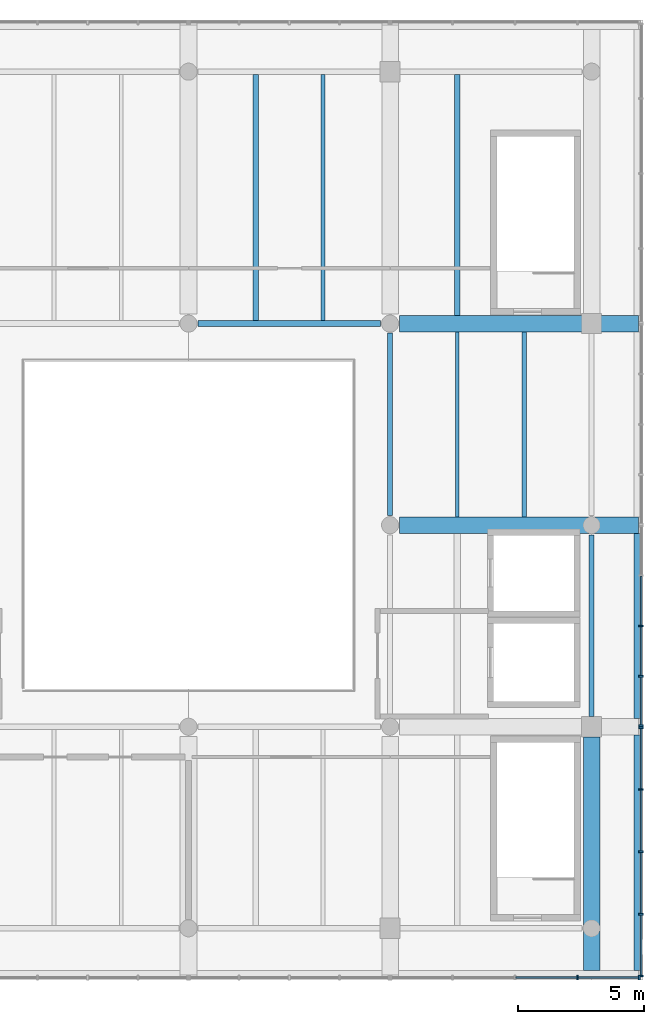
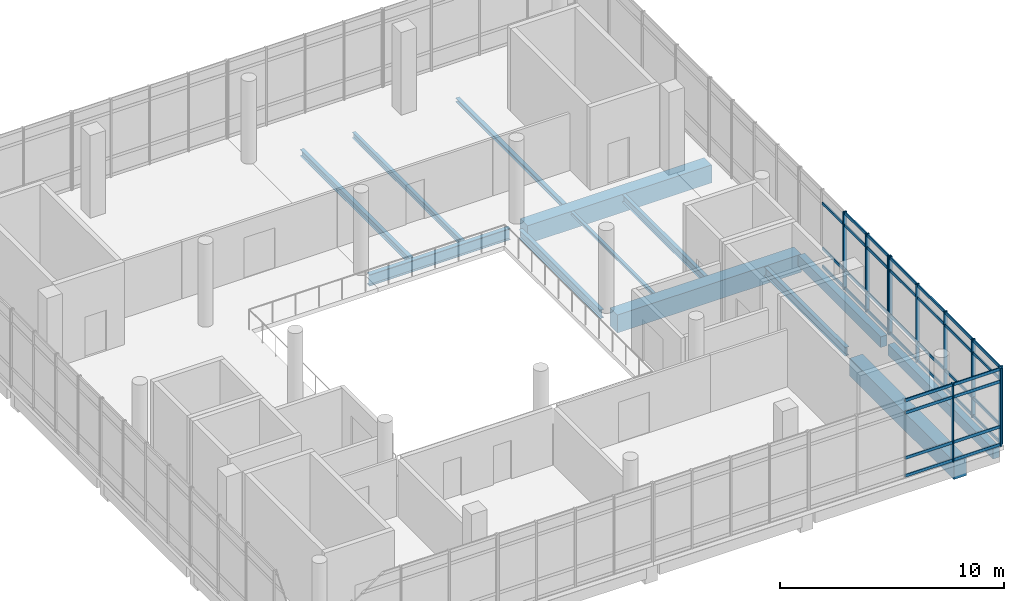
# One storey, part 6 of 15: 45 members, 13 beams, 3 elements without a shape of their own.
"""IFC4 building model written with IfcOpenShell, lengths in metres."""

from ifc_helpers import new_model, si_unit, direction, frame, origin, origin_2d, place, context, subcontext, project, spatial, rectangle, i_section, extrude, material, material_profile, profile_set, type_object, element, aggregate, save


model = new_model("IFC4")

# Units and contexts
model_context = context("Model", 3, precision=1e-05, world=origin(), true_north=direction((0.0, 1.0)))
body_context = subcontext(model_context, "Body", "Model", "MODEL_VIEW")
ifc_project = project(units=[si_unit("LENGTHUNIT", "METRE"), si_unit("AREAUNIT", "SQUARE_METRE"), si_unit("VOLUMEUNIT", "CUBIC_METRE"), si_unit("PLANEANGLEUNIT", "RADIAN"), si_unit("MASSUNIT", "GRAM", prefix="KILO")], contexts=[model_context])

# Site, building, storey
site_placement = place(None, origin())
site = spatial("IfcSite", under=ifc_project, at=site_placement, CompositionType="ELEMENT")
building_placement = place(site_placement, origin())
building = spatial("IfcBuilding", under=site, at=building_placement, Name="Pecanmere Concourse Central Library", CompositionType="ELEMENT")
storey_placement = place(building_placement, frame((0.0, 0.0, 30.300048828125)))
storey = spatial("IfcBuildingStorey", under=building, at=storey_placement, Name="L07", CompositionType="ELEMENT", Elevation=30.300048828125)

# Curtain wall, members
ifc_material_1 = material(Name="Anodized bronze aluminium alloy 6063-T6", Category="aluminium")
curtain_wall_type = type_object("IfcCurtainWallType", Name="CW_PLUMB_BANDED", PredefinedType="USERDEFINED", material=ifc_material_1)
curtain_wall_1_placement = place(storey_placement, origin())
curtain_wall_1 = element("IfcCurtainWall", 1, at=curtain_wall_1_placement, inside=storey, type_object=curtain_wall_type, Name="Unitised Curtain Wall CW-02 L07-092", ObjectType="UNITISED CURTAIN WALL", PredefinedType="USERDEFINED")
ifc_material_2 = material(Name="Anodized bronze aluminium alloy 6063-T6", Category="aluminium")
ifc_material_profile_1 = material_profile(ifc_material_2, rectangle(XDim=0.06494140625, YDim=0.179931640625, at=origin_2d()), Name="AL 65x180")
ifc_profile_set_1 = profile_set([ifc_material_profile_1], Name="Anodized bronze aluminium alloy 6063-T6")
member_type_1 = type_object("IfcMemberType", Name="CWM_180x65", PredefinedType="MULLION", material=ifc_profile_set_1)
member_1_placement = place(storey_placement, frame((103.4423828125, 88.03857421875, 0.0), z_axis=(0.0, 0.0, 1.0), x_axis=(1.0, 0.0, 0.0)))
member_1 = element("IfcMember", 2, at=member_1_placement, type_object=member_type_1, Name="CW-02 Mullion 4", PredefinedType="MULLION", context=body_context, shape_type="SweptSolid", body=[
    extrude(rectangle(XDim=0.06494140625, YDim=0.179931640625, at=origin_2d()), origin(), (0.0, 0.0, 1.0), 4.260009765625),
])
member_2_placement = place(storey_placement, frame((105.888916015625, 88.03857421875, 0.0), z_axis=(0.0, 0.0, 1.0), x_axis=(1.0, 0.0, 0.0)))
member_2 = element("IfcMember", 3, at=member_2_placement, type_object=member_type_1, Name="CW-02 Mullion 5", PredefinedType="MULLION", context=body_context, shape_type="SweptSolid", body=[
    extrude(rectangle(XDim=0.06494140625, YDim=0.179931640625, at=origin_2d()), origin(), (0.0, 0.0, 1.0), 4.260009765625),
])

curtain_wall_2_placement = place(storey_placement, origin())
curtain_wall_2 = element("IfcCurtainWall", 4, at=curtain_wall_2_placement, inside=storey, type_object=curtain_wall_type, Name="Unitised Curtain Wall CW-02 L07-093", ObjectType="UNITISED CURTAIN WALL", PredefinedType="USERDEFINED")
member_3_placement = place(storey_placement, frame((105.96142578125, 88.111083984375, 0.0), z_axis=(0.0, 0.0, 1.0), x_axis=(0.0, 1.0, 0.0)))
member_3 = element("IfcMember", 5, at=member_3_placement, type_object=member_type_1, Name="CW-02 Mullion 1", PredefinedType="MULLION", context=body_context, shape_type="SweptSolid", body=[
    extrude(rectangle(XDim=0.06494140625, YDim=0.179931640625, at=origin_2d()), origin(), (0.0, 0.0, 1.0), 4.260009765625),
])
member_4_placement = place(storey_placement, frame((105.96142578125, 90.5576171875, 0.0), z_axis=(0.0, 0.0, 1.0), x_axis=(0.0, 1.0, 0.0)))
member_4 = element("IfcMember", 6, at=member_4_placement, type_object=member_type_1, Name="CW-02 Mullion 2", PredefinedType="MULLION", context=body_context, shape_type="SweptSolid", body=[
    extrude(rectangle(XDim=0.06494140625, YDim=0.179931640625, at=origin_2d()), origin(), (0.0, 0.0, 1.0), 4.260009765625),
])
member_5_placement = place(storey_placement, frame((105.96142578125, 93.036865234375, 0.0), z_axis=(0.0, 0.0, 1.0), x_axis=(0.0, 1.0, 0.0)))
member_5 = element("IfcMember", 7, at=member_5_placement, type_object=member_type_1, Name="CW-02 Mullion 3", PredefinedType="MULLION", context=body_context, shape_type="SweptSolid", body=[
    extrude(rectangle(XDim=0.06494140625, YDim=0.179931640625, at=origin_2d()), origin(), (0.0, 0.0, 1.0), 4.260009765625),
])
member_6_placement = place(storey_placement, frame((105.96142578125, 95.515869140625, 0.0), z_axis=(0.0, 0.0, 1.0), x_axis=(0.0, 1.0, 0.0)))
member_6 = element("IfcMember", 8, at=member_6_placement, type_object=member_type_1, Name="CW-02 Mullion 4", PredefinedType="MULLION", context=body_context, shape_type="SweptSolid", body=[
    extrude(rectangle(XDim=0.06494140625, YDim=0.179931640625, at=origin_2d()), origin(), (0.0, 0.0, 1.0), 4.260009765625),
])
member_7_placement = place(storey_placement, frame((105.96142578125, 97.96240234375, 0.0), z_axis=(0.0, 0.0, 1.0), x_axis=(0.0, 1.0, 0.0)))
member_7 = element("IfcMember", 9, at=member_7_placement, type_object=member_type_1, Name="CW-02 Mullion 5", PredefinedType="MULLION", context=body_context, shape_type="SweptSolid", body=[
    extrude(rectangle(XDim=0.06494140625, YDim=0.179931640625, at=origin_2d()), origin(), (0.0, 0.0, 1.0), 4.260009765625),
])

curtain_wall_3_placement = place(storey_placement, origin())
curtain_wall_3 = element("IfcCurtainWall", 10, at=curtain_wall_3_placement, inside=storey, type_object=curtain_wall_type, Name="Unitised Curtain Wall CW-02 L07-094", ObjectType="UNITISED CURTAIN WALL", PredefinedType="USERDEFINED")
member_8_placement = place(storey_placement, frame((105.96142578125, 98.03759765625, 0.0), z_axis=(0.0, 0.0, 1.0), x_axis=(0.0, 1.0, 0.0)))
member_8 = element("IfcMember", 11, at=member_8_placement, type_object=member_type_1, Name="CW-02 Mullion 1", PredefinedType="MULLION", context=body_context, shape_type="SweptSolid", body=[
    extrude(rectangle(XDim=0.06494140625, YDim=0.179931640625, at=origin_2d()), origin(), (0.0, 0.0, 1.0), 4.260009765625),
])
member_9_placement = place(storey_placement, frame((105.96142578125, 100.00244140625, 0.0), z_axis=(0.0, 0.0, 1.0), x_axis=(0.0, 1.0, 0.0)))
member_9 = element("IfcMember", 12, at=member_9_placement, type_object=member_type_1, Name="CW-02 Mullion 2", PredefinedType="MULLION", context=body_context, shape_type="SweptSolid", body=[
    extrude(rectangle(XDim=0.06494140625, YDim=0.179931640625, at=origin_2d()), origin(), (0.0, 0.0, 1.0), 4.260009765625),
])
member_10_placement = place(storey_placement, frame((105.96142578125, 102.0, 0.0), z_axis=(0.0, 0.0, 1.0), x_axis=(0.0, 1.0, 0.0)))
member_10 = element("IfcMember", 13, at=member_10_placement, type_object=member_type_1, Name="CW-02 Mullion 3", PredefinedType="MULLION", context=body_context, shape_type="SweptSolid", body=[
    extrude(rectangle(XDim=0.06494140625, YDim=0.179931640625, at=origin_2d()), origin(), (0.0, 0.0, 1.0), 4.260009765625),
])

# Member
ifc_material_3 = material(Name="Anodized bronze aluminium alloy 6063-T6", Category="aluminium")
ifc_material_profile_2 = material_profile(ifc_material_3, rectangle(XDim=0.06005859375, YDim=0.159912109375, at=origin_2d()), Name="AL 60x160")
ifc_profile_set_2 = profile_set([ifc_material_profile_2], Name="Anodized bronze aluminium alloy 6063-T6")
member_type_2 = type_object("IfcMemberType", Name="CWT_160x60", PredefinedType="USERDEFINED", material=ifc_profile_set_2)
member_11_placement = place(storey_placement, frame((100.995849609375, 88.03857421875, 0.079833984375), z_axis=(1.0, 0.0, 0.0), x_axis=(0.0, 1.0, 0.0)))
member_11 = element("IfcMember", 14, at=member_11_placement, type_object=member_type_2, Name="CW-02 Transom 3.1", ObjectType="TRANSOM", PredefinedType="USERDEFINED", context=body_context, shape_type="SweptSolid", body=[
    extrude(rectangle(XDim=0.06005859375, YDim=0.159912109375, at=origin_2d()), origin(), (0.0, 0.0, 1.0), 2.4140625),
])

member_12_placement = place(storey_placement, frame((100.995849609375, 88.03857421875, 1.050048828125), z_axis=(1.0, 0.0, 0.0), x_axis=(0.0, 1.0, 0.0)))
member_12 = element("IfcMember", 15, at=member_12_placement, type_object=member_type_2, Name="CW-02 Transom 3.2", ObjectType="TRANSOM", PredefinedType="USERDEFINED", context=body_context, shape_type="SweptSolid", body=[
    extrude(rectangle(XDim=0.06005859375, YDim=0.159912109375, at=origin_2d()), origin(), (0.0, 0.0, 1.0), 2.4140625),
])

member_13_placement = place(storey_placement, frame((100.995849609375, 88.03857421875, 3.510009765625), z_axis=(1.0, 0.0, 0.0), x_axis=(0.0, 1.0, 0.0)))
member_13 = element("IfcMember", 16, at=member_13_placement, type_object=member_type_2, Name="CW-02 Transom 3.3", ObjectType="TRANSOM", PredefinedType="USERDEFINED", context=body_context, shape_type="SweptSolid", body=[
    extrude(rectangle(XDim=0.06005859375, YDim=0.159912109375, at=origin_2d()), origin(), (0.0, 0.0, 1.0), 2.4140625),
])

member_14_placement = place(storey_placement, frame((100.995849609375, 88.03857421875, 4.179931640625), z_axis=(1.0, 0.0, 0.0), x_axis=(0.0, 1.0, 0.0)))
member_14 = element("IfcMember", 17, at=member_14_placement, type_object=member_type_2, Name="CW-02 Transom 3.4", ObjectType="TRANSOM", PredefinedType="USERDEFINED", context=body_context, shape_type="SweptSolid", body=[
    extrude(rectangle(XDim=0.06005859375, YDim=0.159912109375, at=origin_2d()), origin(), (0.0, 0.0, 1.0), 2.4140625),
])

member_15_placement = place(storey_placement, frame((103.474853515625, 88.03857421875, 0.079833984375), z_axis=(1.0, 0.0, 0.0), x_axis=(0.0, 1.0, 0.0)))
member_15 = element("IfcMember", 18, at=member_15_placement, type_object=member_type_2, Name="CW-02 Transom 4.1", ObjectType="TRANSOM", PredefinedType="USERDEFINED", context=body_context, shape_type="SweptSolid", body=[
    extrude(rectangle(XDim=0.06005859375, YDim=0.159912109375, at=origin_2d()), origin(), (0.0, 0.0, 1.0), 2.381591796875),
])

member_16_placement = place(storey_placement, frame((103.474853515625, 88.03857421875, 1.050048828125), z_axis=(1.0, 0.0, 0.0), x_axis=(0.0, 1.0, 0.0)))
member_16 = element("IfcMember", 19, at=member_16_placement, type_object=member_type_2, Name="CW-02 Transom 4.2", ObjectType="TRANSOM", PredefinedType="USERDEFINED", context=body_context, shape_type="SweptSolid", body=[
    extrude(rectangle(XDim=0.06005859375, YDim=0.159912109375, at=origin_2d()), origin(), (0.0, 0.0, 1.0), 2.381591796875),
])

member_17_placement = place(storey_placement, frame((103.474853515625, 88.03857421875, 3.510009765625), z_axis=(1.0, 0.0, 0.0), x_axis=(0.0, 1.0, 0.0)))
member_17 = element("IfcMember", 20, at=member_17_placement, type_object=member_type_2, Name="CW-02 Transom 4.3", ObjectType="TRANSOM", PredefinedType="USERDEFINED", context=body_context, shape_type="SweptSolid", body=[
    extrude(rectangle(XDim=0.06005859375, YDim=0.159912109375, at=origin_2d()), origin(), (0.0, 0.0, 1.0), 2.381591796875),
])

member_18_placement = place(storey_placement, frame((103.474853515625, 88.03857421875, 4.179931640625), z_axis=(1.0, 0.0, 0.0), x_axis=(0.0, 1.0, 0.0)))
member_18 = element("IfcMember", 21, at=member_18_placement, type_object=member_type_2, Name="CW-02 Transom 4.4", ObjectType="TRANSOM", PredefinedType="USERDEFINED", context=body_context, shape_type="SweptSolid", body=[
    extrude(rectangle(XDim=0.06005859375, YDim=0.159912109375, at=origin_2d()), origin(), (0.0, 0.0, 1.0), 2.381591796875),
])

aggregate(curtain_wall_1, [member_1, member_2, member_11, member_12, member_13, member_14, member_15, member_16, member_17, member_18])

member_19_placement = place(storey_placement, frame((105.96142578125, 88.1435546875, 0.079833984375), z_axis=(0.0, 1.0, 0.0), x_axis=(-1.0, 0.0, 0.0)))
member_19 = element("IfcMember", 22, at=member_19_placement, type_object=member_type_2, Name="CW-02 Transom 1.1", ObjectType="TRANSOM", PredefinedType="USERDEFINED", context=body_context, shape_type="SweptSolid", body=[
    extrude(rectangle(XDim=0.06005859375, YDim=0.159912109375, at=origin_2d()), origin(), (0.0, 0.0, 1.0), 2.381591796875),
])

member_20_placement = place(storey_placement, frame((105.96142578125, 88.1435546875, 1.050048828125), z_axis=(0.0, 1.0, 0.0), x_axis=(-1.0, 0.0, 0.0)))
member_20 = element("IfcMember", 23, at=member_20_placement, type_object=member_type_2, Name="CW-02 Transom 1.2", ObjectType="TRANSOM", PredefinedType="USERDEFINED", context=body_context, shape_type="SweptSolid", body=[
    extrude(rectangle(XDim=0.06005859375, YDim=0.159912109375, at=origin_2d()), origin(), (0.0, 0.0, 1.0), 2.381591796875),
])

member_21_placement = place(storey_placement, frame((105.96142578125, 88.1435546875, 3.510009765625), z_axis=(0.0, 1.0, 0.0), x_axis=(-1.0, 0.0, 0.0)))
member_21 = element("IfcMember", 24, at=member_21_placement, type_object=member_type_2, Name="CW-02 Transom 1.3", ObjectType="TRANSOM", PredefinedType="USERDEFINED", context=body_context, shape_type="SweptSolid", body=[
    extrude(rectangle(XDim=0.06005859375, YDim=0.159912109375, at=origin_2d()), origin(), (0.0, 0.0, 1.0), 2.381591796875),
])

member_22_placement = place(storey_placement, frame((105.96142578125, 88.1435546875, 4.179931640625), z_axis=(0.0, 1.0, 0.0), x_axis=(-1.0, 0.0, 0.0)))
member_22 = element("IfcMember", 25, at=member_22_placement, type_object=member_type_2, Name="CW-02 Transom 1.4", ObjectType="TRANSOM", PredefinedType="USERDEFINED", context=body_context, shape_type="SweptSolid", body=[
    extrude(rectangle(XDim=0.06005859375, YDim=0.159912109375, at=origin_2d()), origin(), (0.0, 0.0, 1.0), 2.381591796875),
])

member_23_placement = place(storey_placement, frame((105.96142578125, 90.590087890625, 0.079833984375), z_axis=(0.0, 1.0, 0.0), x_axis=(-1.0, 0.0, 0.0)))
member_23 = element("IfcMember", 26, at=member_23_placement, type_object=member_type_2, Name="CW-02 Transom 2.1", ObjectType="TRANSOM", PredefinedType="USERDEFINED", context=body_context, shape_type="SweptSolid", body=[
    extrude(rectangle(XDim=0.06005859375, YDim=0.159912109375, at=origin_2d()), origin(), (0.0, 0.0, 1.0), 2.4140625),
])

member_24_placement = place(storey_placement, frame((105.96142578125, 90.590087890625, 1.050048828125), z_axis=(0.0, 1.0, 0.0), x_axis=(-1.0, 0.0, 0.0)))
member_24 = element("IfcMember", 27, at=member_24_placement, type_object=member_type_2, Name="CW-02 Transom 2.2", ObjectType="TRANSOM", PredefinedType="USERDEFINED", context=body_context, shape_type="SweptSolid", body=[
    extrude(rectangle(XDim=0.06005859375, YDim=0.159912109375, at=origin_2d()), origin(), (0.0, 0.0, 1.0), 2.4140625),
])

member_25_placement = place(storey_placement, frame((105.96142578125, 90.590087890625, 3.510009765625), z_axis=(0.0, 1.0, 0.0), x_axis=(-1.0, 0.0, 0.0)))
member_25 = element("IfcMember", 28, at=member_25_placement, type_object=member_type_2, Name="CW-02 Transom 2.3", ObjectType="TRANSOM", PredefinedType="USERDEFINED", context=body_context, shape_type="SweptSolid", body=[
    extrude(rectangle(XDim=0.06005859375, YDim=0.159912109375, at=origin_2d()), origin(), (0.0, 0.0, 1.0), 2.4140625),
])

member_26_placement = place(storey_placement, frame((105.96142578125, 90.590087890625, 4.179931640625), z_axis=(0.0, 1.0, 0.0), x_axis=(-1.0, 0.0, 0.0)))
member_26 = element("IfcMember", 29, at=member_26_placement, type_object=member_type_2, Name="CW-02 Transom 2.4", ObjectType="TRANSOM", PredefinedType="USERDEFINED", context=body_context, shape_type="SweptSolid", body=[
    extrude(rectangle(XDim=0.06005859375, YDim=0.159912109375, at=origin_2d()), origin(), (0.0, 0.0, 1.0), 2.4140625),
])

member_27_placement = place(storey_placement, frame((105.96142578125, 93.0693359375, 0.079833984375), z_axis=(0.0, 1.0, 0.0), x_axis=(-1.0, 0.0, 0.0)))
member_27 = element("IfcMember", 30, at=member_27_placement, type_object=member_type_2, Name="CW-02 Transom 3.1", ObjectType="TRANSOM", PredefinedType="USERDEFINED", context=body_context, shape_type="SweptSolid", body=[
    extrude(rectangle(XDim=0.06005859375, YDim=0.159912109375, at=origin_2d()), origin(), (0.0, 0.0, 1.0), 2.4140625),
])

member_28_placement = place(storey_placement, frame((105.96142578125, 93.0693359375, 1.050048828125), z_axis=(0.0, 1.0, 0.0), x_axis=(-1.0, 0.0, 0.0)))
member_28 = element("IfcMember", 31, at=member_28_placement, type_object=member_type_2, Name="CW-02 Transom 3.2", ObjectType="TRANSOM", PredefinedType="USERDEFINED", context=body_context, shape_type="SweptSolid", body=[
    extrude(rectangle(XDim=0.06005859375, YDim=0.159912109375, at=origin_2d()), origin(), (0.0, 0.0, 1.0), 2.4140625),
])

member_29_placement = place(storey_placement, frame((105.96142578125, 93.0693359375, 3.510009765625), z_axis=(0.0, 1.0, 0.0), x_axis=(-1.0, 0.0, 0.0)))
member_29 = element("IfcMember", 32, at=member_29_placement, type_object=member_type_2, Name="CW-02 Transom 3.3", ObjectType="TRANSOM", PredefinedType="USERDEFINED", context=body_context, shape_type="SweptSolid", body=[
    extrude(rectangle(XDim=0.06005859375, YDim=0.159912109375, at=origin_2d()), origin(), (0.0, 0.0, 1.0), 2.4140625),
])

member_30_placement = place(storey_placement, frame((105.96142578125, 93.0693359375, 4.179931640625), z_axis=(0.0, 1.0, 0.0), x_axis=(-1.0, 0.0, 0.0)))
member_30 = element("IfcMember", 33, at=member_30_placement, type_object=member_type_2, Name="CW-02 Transom 3.4", ObjectType="TRANSOM", PredefinedType="USERDEFINED", context=body_context, shape_type="SweptSolid", body=[
    extrude(rectangle(XDim=0.06005859375, YDim=0.159912109375, at=origin_2d()), origin(), (0.0, 0.0, 1.0), 2.4140625),
])

member_31_placement = place(storey_placement, frame((105.96142578125, 95.54833984375, 0.079833984375), z_axis=(0.0, 1.0, 0.0), x_axis=(-1.0, 0.0, 0.0)))
member_31 = element("IfcMember", 34, at=member_31_placement, type_object=member_type_2, Name="CW-02 Transom 4.1", ObjectType="TRANSOM", PredefinedType="USERDEFINED", context=body_context, shape_type="SweptSolid", body=[
    extrude(rectangle(XDim=0.06005859375, YDim=0.159912109375, at=origin_2d()), origin(), (0.0, 0.0, 1.0), 2.381591796875),
])

member_32_placement = place(storey_placement, frame((105.96142578125, 95.54833984375, 1.050048828125), z_axis=(0.0, 1.0, 0.0), x_axis=(-1.0, 0.0, 0.0)))
member_32 = element("IfcMember", 35, at=member_32_placement, type_object=member_type_2, Name="CW-02 Transom 4.2", ObjectType="TRANSOM", PredefinedType="USERDEFINED", context=body_context, shape_type="SweptSolid", body=[
    extrude(rectangle(XDim=0.06005859375, YDim=0.159912109375, at=origin_2d()), origin(), (0.0, 0.0, 1.0), 2.381591796875),
])

member_33_placement = place(storey_placement, frame((105.96142578125, 95.54833984375, 3.510009765625), z_axis=(0.0, 1.0, 0.0), x_axis=(-1.0, 0.0, 0.0)))
member_33 = element("IfcMember", 36, at=member_33_placement, type_object=member_type_2, Name="CW-02 Transom 4.3", ObjectType="TRANSOM", PredefinedType="USERDEFINED", context=body_context, shape_type="SweptSolid", body=[
    extrude(rectangle(XDim=0.06005859375, YDim=0.159912109375, at=origin_2d()), origin(), (0.0, 0.0, 1.0), 2.381591796875),
])

member_34_placement = place(storey_placement, frame((105.96142578125, 95.54833984375, 4.179931640625), z_axis=(0.0, 1.0, 0.0), x_axis=(-1.0, 0.0, 0.0)))
member_34 = element("IfcMember", 37, at=member_34_placement, type_object=member_type_2, Name="CW-02 Transom 4.4", ObjectType="TRANSOM", PredefinedType="USERDEFINED", context=body_context, shape_type="SweptSolid", body=[
    extrude(rectangle(XDim=0.06005859375, YDim=0.159912109375, at=origin_2d()), origin(), (0.0, 0.0, 1.0), 2.381591796875),
])

aggregate(curtain_wall_2, [member_3, member_4, member_5, member_6, member_7, member_19, member_20, member_21, member_22, member_23, member_24, member_25, member_26, member_27, member_28, member_29, member_30, member_31, member_32, member_33, member_34])

member_35_placement = place(storey_placement, frame((105.96142578125, 98.070068359375, 0.079833984375), z_axis=(0.0, 1.0, 0.0), x_axis=(-1.0, 0.0, 0.0)))
member_35 = element("IfcMember", 38, at=member_35_placement, type_object=member_type_2, Name="CW-02 Transom 1.1", ObjectType="TRANSOM", PredefinedType="USERDEFINED", context=body_context, shape_type="SweptSolid", body=[
    extrude(rectangle(XDim=0.06005859375, YDim=0.159912109375, at=origin_2d()), origin(), (0.0, 0.0, 1.0), 1.89990234375),
])

member_36_placement = place(storey_placement, frame((105.96142578125, 98.070068359375, 1.050048828125), z_axis=(0.0, 1.0, 0.0), x_axis=(-1.0, 0.0, 0.0)))
member_36 = element("IfcMember", 39, at=member_36_placement, type_object=member_type_2, Name="CW-02 Transom 1.2", ObjectType="TRANSOM", PredefinedType="USERDEFINED", context=body_context, shape_type="SweptSolid", body=[
    extrude(rectangle(XDim=0.06005859375, YDim=0.159912109375, at=origin_2d()), origin(), (0.0, 0.0, 1.0), 1.89990234375),
])

member_37_placement = place(storey_placement, frame((105.96142578125, 98.070068359375, 3.510009765625), z_axis=(0.0, 1.0, 0.0), x_axis=(-1.0, 0.0, 0.0)))
member_37 = element("IfcMember", 40, at=member_37_placement, type_object=member_type_2, Name="CW-02 Transom 1.3", ObjectType="TRANSOM", PredefinedType="USERDEFINED", context=body_context, shape_type="SweptSolid", body=[
    extrude(rectangle(XDim=0.06005859375, YDim=0.159912109375, at=origin_2d()), origin(), (0.0, 0.0, 1.0), 1.89990234375),
])

member_38_placement = place(storey_placement, frame((105.96142578125, 98.070068359375, 4.179931640625), z_axis=(0.0, 1.0, 0.0), x_axis=(-1.0, 0.0, 0.0)))
member_38 = element("IfcMember", 41, at=member_38_placement, type_object=member_type_2, Name="CW-02 Transom 1.4", ObjectType="TRANSOM", PredefinedType="USERDEFINED", context=body_context, shape_type="SweptSolid", body=[
    extrude(rectangle(XDim=0.06005859375, YDim=0.159912109375, at=origin_2d()), origin(), (0.0, 0.0, 1.0), 1.89990234375),
])

member_39_placement = place(storey_placement, frame((105.96142578125, 100.034912109375, 0.079833984375), z_axis=(0.0, 1.0, 0.0), x_axis=(-1.0, 0.0, 0.0)))
member_39 = element("IfcMember", 42, at=member_39_placement, type_object=member_type_2, Name="CW-02 Transom 2.1", ObjectType="TRANSOM", PredefinedType="USERDEFINED", context=body_context, shape_type="SweptSolid", body=[
    extrude(rectangle(XDim=0.06005859375, YDim=0.159912109375, at=origin_2d()), origin(), (0.0, 0.0, 1.0), 1.9326171875),
])

member_40_placement = place(storey_placement, frame((105.96142578125, 100.034912109375, 1.050048828125), z_axis=(0.0, 1.0, 0.0), x_axis=(-1.0, 0.0, 0.0)))
member_40 = element("IfcMember", 43, at=member_40_placement, type_object=member_type_2, Name="CW-02 Transom 2.2", ObjectType="TRANSOM", PredefinedType="USERDEFINED", context=body_context, shape_type="SweptSolid", body=[
    extrude(rectangle(XDim=0.06005859375, YDim=0.159912109375, at=origin_2d()), origin(), (0.0, 0.0, 1.0), 1.9326171875),
])

member_41_placement = place(storey_placement, frame((105.96142578125, 100.034912109375, 3.510009765625), z_axis=(0.0, 1.0, 0.0), x_axis=(-1.0, 0.0, 0.0)))
member_41 = element("IfcMember", 44, at=member_41_placement, type_object=member_type_2, Name="CW-02 Transom 2.3", ObjectType="TRANSOM", PredefinedType="USERDEFINED", context=body_context, shape_type="SweptSolid", body=[
    extrude(rectangle(XDim=0.06005859375, YDim=0.159912109375, at=origin_2d()), origin(), (0.0, 0.0, 1.0), 1.9326171875),
])

member_42_placement = place(storey_placement, frame((105.96142578125, 100.034912109375, 4.179931640625), z_axis=(0.0, 1.0, 0.0), x_axis=(-1.0, 0.0, 0.0)))
member_42 = element("IfcMember", 45, at=member_42_placement, type_object=member_type_2, Name="CW-02 Transom 2.4", ObjectType="TRANSOM", PredefinedType="USERDEFINED", context=body_context, shape_type="SweptSolid", body=[
    extrude(rectangle(XDim=0.06005859375, YDim=0.159912109375, at=origin_2d()), origin(), (0.0, 0.0, 1.0), 1.9326171875),
])

member_43_placement = place(storey_placement, frame((105.96142578125, 102.032470703125, 0.079833984375), z_axis=(0.0, 1.0, 0.0), x_axis=(-1.0, 0.0, 0.0)))
member_43 = element("IfcMember", 46, at=member_43_placement, type_object=member_type_2, Name="CW-02 Transom 3.1", ObjectType="TRANSOM", PredefinedType="USERDEFINED", context=body_context, shape_type="SweptSolid", body=[
    extrude(rectangle(XDim=0.06005859375, YDim=0.159912109375, at=origin_2d()), origin(), (0.0, 0.0, 1.0), 1.9326171875),
])

member_44_placement = place(storey_placement, frame((105.96142578125, 102.032470703125, 1.050048828125), z_axis=(0.0, 1.0, 0.0), x_axis=(-1.0, 0.0, 0.0)))
member_44 = element("IfcMember", 47, at=member_44_placement, type_object=member_type_2, Name="CW-02 Transom 3.2", ObjectType="TRANSOM", PredefinedType="USERDEFINED", context=body_context, shape_type="SweptSolid", body=[
    extrude(rectangle(XDim=0.06005859375, YDim=0.159912109375, at=origin_2d()), origin(), (0.0, 0.0, 1.0), 1.9326171875),
])

member_45_placement = place(storey_placement, frame((105.96142578125, 102.032470703125, 3.510009765625), z_axis=(0.0, 1.0, 0.0), x_axis=(-1.0, 0.0, 0.0)))
member_45 = element("IfcMember", 48, at=member_45_placement, type_object=member_type_2, Name="CW-02 Transom 3.3", ObjectType="TRANSOM", PredefinedType="USERDEFINED", context=body_context, shape_type="SweptSolid", body=[
    extrude(rectangle(XDim=0.06005859375, YDim=0.159912109375, at=origin_2d()), origin(), (0.0, 0.0, 1.0), 1.9326171875),
])

aggregate(curtain_wall_3, [member_8, member_9, member_10, member_35, member_36, member_37, member_38, member_39, member_40, member_41, member_42, member_43, member_44, member_45])

# Beams
ifc_material_4 = material(Name="Concrete C40/50", Category="concrete")
ifc_material_profile_3 = material_profile(ifc_material_4, rectangle(XDim=0.659912109375, YDim=0.97998046875, at=origin_2d()), Name="RC 660x980")
ifc_profile_set_3 = profile_set([ifc_material_profile_3], Name="Concrete C40/50")
beam_type_1 = type_object("IfcBeamType", Name="GRD_660x980", PredefinedType="USERDEFINED", material=ifc_profile_set_3)
for number, where, z_axis, x_axis, name in (
    (49, (96.3798828125, 106.0, -0.75), (1.0, 0.0, 0.0), (0.0, 1.0, 0.0), "Primary Girder X L07-2795"),
    (50, (96.3798828125, 114.0, -0.75), (1.0, 0.0, 0.0), (0.0, 1.0, 0.0), "Primary Girder X L07-2799"),
):
    element("IfcBeam", number, at=place(storey_placement, frame(where, z_axis=z_axis, x_axis=x_axis)), inside=storey, type_object=beam_type_1, Name=name, ObjectType="GIRDER", PredefinedType="USERDEFINED", context=body_context, shape_type="SweptSolid", body=[
        extrude(rectangle(XDim=0.659912109375, YDim=0.97998046875, at=origin_2d()), origin(), (0.0, 0.0, 1.0), 9.4716796875),
    ])
beam_1_placement = place(storey_placement, frame((104.0, 88.318603515625, -0.75), z_axis=(0.0, 1.0, 0.0), x_axis=(-1.0, 0.0, 0.0)))
element("IfcBeam", 51, at=beam_1_placement, inside=storey, type_object=beam_type_1, Name="Primary Girder Y L07-2818", ObjectType="GIRDER", PredefinedType="USERDEFINED", context=body_context, shape_type="SweptSolid", body=[
    extrude(rectangle(XDim=0.659912109375, YDim=0.97998046875, at=origin_2d()), origin(), (0.0, 0.0, 1.0), 9.281494140625),
])
ifc_material_5 = material(Name="Structural steel ASTM A992 Grade 50", Category="steel")
ifc_material_profile_4 = material_profile(ifc_material_5, i_section(OverallWidth=0.152099609375, OverallDepth=0.152099609375, WebThickness=0.005859375, FlangeThickness=0.006591796875, at=origin_2d()), Name="W150x22.5")
ifc_profile_set_4 = profile_set([ifc_material_profile_4], Name="Structural steel ASTM A992 Grade 50")
beam_type_2 = type_object("IfcBeamType", Name="SBM_W150x22", PredefinedType="LINTEL", material=ifc_profile_set_4)
beam_2_placement = place(storey_placement, frame((98.666748046875, 106.330078125, -0.3359375), z_axis=(0.0, 1.0, 0.0), x_axis=(-1.0, 0.0, 0.0)))
element("IfcBeam", 52, at=beam_2_placement, inside=storey, type_object=beam_type_2, Name="Secondary Floor Joist L07-2853", PredefinedType="LINTEL", context=body_context, shape_type="SweptSolid", body=[
    extrude(i_section(OverallWidth=0.152099609375, OverallDepth=0.152099609375, WebThickness=0.005859375, FlangeThickness=0.006591796875, at=origin_2d()), origin(), (0.0, 0.0, 1.0), 7.33984375),
])
ifc_material_6 = material(Name="Structural steel ASTM A992 Grade 50", Category="steel")
ifc_material_profile_5 = material_profile(ifc_material_6, i_section(OverallWidth=0.2041015625, OverallDepth=0.2060546875, WebThickness=0.0078125, FlangeThickness=0.0126953125, at=origin_2d()), Name="W200x52")
ifc_profile_set_5 = profile_set([ifc_material_profile_5], Name="Structural steel ASTM A992 Grade 50")
beam_type_3 = type_object("IfcBeamType", Name="SBM_W200x52", PredefinedType="JOIST", material=ifc_profile_set_5)
beam_3_placement = place(storey_placement, frame((98.666748046875, 114.330078125, -0.363037109375), z_axis=(0.0, 1.0, 0.0), x_axis=(-1.0, 0.0, 0.0)))
element("IfcBeam", 53, at=beam_3_placement, inside=storey, type_object=beam_type_3, Name="Secondary Floor Joist L07-2855", PredefinedType="JOIST", context=body_context, shape_type="SweptSolid", body=[
    extrude(i_section(OverallWidth=0.2041015625, OverallDepth=0.2060546875, WebThickness=0.0078125, FlangeThickness=0.0126953125, at=origin_2d()), origin(), (0.0, 0.0, 1.0), 9.554931640625),
])
ifc_material_7 = material(Name="Structural steel ASTM A992 Grade 50", Category="steel")
ifc_material_profile_6 = material_profile(ifc_material_7, i_section(OverallWidth=0.1669921875, OverallDepth=0.31689453125, WebThickness=0.007568359375, FlangeThickness=0.01318359375, at=origin_2d()), Name="W310x52")
ifc_profile_set_6 = profile_set([ifc_material_profile_6], Name="Structural steel ASTM A992 Grade 50")
beam_type_4 = type_object("IfcBeamType", Name="SBM_W310x52", PredefinedType="JOIST", material=ifc_profile_set_6)
beam_4_placement = place(storey_placement, frame((93.333251953125, 114.114990234375, -0.41845703125), z_axis=(0.0, 1.0, 0.0), x_axis=(-1.0, 0.0, 0.0)))
element("IfcBeam", 54, at=beam_4_placement, inside=storey, type_object=beam_type_4, Name="Secondary Floor Joist L07-2850", PredefinedType="JOIST", context=body_context, shape_type="SweptSolid", body=[
    extrude(i_section(OverallWidth=0.1669921875, OverallDepth=0.31689453125, WebThickness=0.007568359375, FlangeThickness=0.01318359375, at=origin_2d()), origin(), (0.0, 0.0, 1.0), 9.77001953125),
])
ifc_material_8 = material(Name="Structural steel ASTM A992 Grade 50", Category="steel")
ifc_material_profile_7 = material_profile(ifc_material_8, i_section(OverallWidth=0.202880859375, OverallDepth=0.346923828125, WebThickness=0.0078125, FlangeThickness=0.013427734375, at=origin_2d()), Name="W360x64")
ifc_profile_set_7 = profile_set([ifc_material_profile_7], Name="Structural steel ASTM A992 Grade 50")
beam_type_5 = type_object("IfcBeamType", Name="SBM_W360x64", PredefinedType="JOIST", material=ifc_profile_set_7)
beam_5_placement = place(storey_placement, frame((90.666748046875, 114.114990234375, -0.43359375), z_axis=(0.0, 1.0, 0.0), x_axis=(-1.0, 0.0, 0.0)))
element("IfcBeam", 55, at=beam_5_placement, inside=storey, type_object=beam_type_5, Name="Secondary Floor Joist L07-2849", PredefinedType="JOIST", context=body_context, shape_type="SweptSolid", body=[
    extrude(i_section(OverallWidth=0.202880859375, OverallDepth=0.346923828125, WebThickness=0.0078125, FlangeThickness=0.013427734375, at=origin_2d()), origin(), (0.0, 0.0, 1.0), 9.77001953125),
])
ifc_material_9 = material(Name="Structural steel ASTM A992 Grade 50", Category="steel")
ifc_material_profile_8 = material_profile(ifc_material_9, i_section(OverallWidth=0.177978515625, OverallDepth=0.406982421875, WebThickness=0.0078125, FlangeThickness=0.0126953125, at=origin_2d()), Name="W410x60")
ifc_profile_set_8 = profile_set([ifc_material_profile_8], Name="Structural steel ASTM A992 Grade 50")
beam_type_6 = type_object("IfcBeamType", Name="SBM_W410x60", PredefinedType="JOIST", material=ifc_profile_set_8)
beam_6_placement = place(storey_placement, frame((101.333251953125, 106.330078125, -0.463623046875), z_axis=(0.0, 1.0, 0.0), x_axis=(-1.0, 0.0, 0.0)))
element("IfcBeam", 56, at=beam_6_placement, inside=storey, type_object=beam_type_6, Name="Secondary Floor Joist L07-2854", PredefinedType="JOIST", context=body_context, shape_type="SweptSolid", body=[
    extrude(i_section(OverallWidth=0.177978515625, OverallDepth=0.406982421875, WebThickness=0.0078125, FlangeThickness=0.0126953125, at=origin_2d()), origin(), (0.0, 0.0, 1.0), 7.33984375),
])
ifc_material_10 = material(Name="Structural steel ASTM A992 Grade 50", Category="steel")
ifc_material_profile_9 = material_profile(ifc_material_10, i_section(OverallWidth=0.194091796875, OverallDepth=0.468994140625, WebThickness=0.0126953125, FlangeThickness=0.0205078125, at=origin_2d()), Name="W460x106")
ifc_profile_set_9 = profile_set([ifc_material_profile_9], Name="Structural steel ASTM A992 Grade 50")
beam_type_7 = type_object("IfcBeamType", Name="SBM_W460x106", PredefinedType="USERDEFINED", material=ifc_profile_set_9)
beam_7_placement = place(storey_placement, frame((96.0, 106.3798828125, -0.49462890625), z_axis=(0.0, 1.0, 0.0), x_axis=(-1.0, 0.0, 0.0)))
element("IfcBeam", 57, at=beam_7_placement, inside=storey, type_object=beam_type_7, Name="Primary Girder Y L07-2816", ObjectType="GIRDER", PredefinedType="USERDEFINED", context=body_context, shape_type="SweptSolid", body=[
    extrude(i_section(OverallWidth=0.194091796875, OverallDepth=0.468994140625, WebThickness=0.0126953125, FlangeThickness=0.0205078125, at=origin_2d()), origin(), (0.0, 0.0, 1.0), 7.240234375),
])
beam_8_placement = place(storey_placement, frame((104.0, 98.39990234375, -0.49462890625), z_axis=(0.0, 1.0, 0.0), x_axis=(-1.0, 0.0, 0.0)))
element("IfcBeam", 58, at=beam_8_placement, inside=storey, type_object=beam_type_7, Name="Primary Girder Y L07-2819", ObjectType="GIRDER", PredefinedType="USERDEFINED", context=body_context, shape_type="SweptSolid", body=[
    extrude(i_section(OverallWidth=0.194091796875, OverallDepth=0.468994140625, WebThickness=0.0126953125, FlangeThickness=0.0205078125, at=origin_2d()), origin(), (0.0, 0.0, 1.0), 7.22021484375),
])
ifc_material_11 = material(Name="Structural steel ASTM A992 Grade 50", Category="steel")
ifc_material_profile_10 = material_profile(ifc_material_11, i_section(OverallWidth=0.22998046875, OverallDepth=0.616943359375, WebThickness=0.01318359375, FlangeThickness=0.022216796875, at=origin_2d()), Name="W610x140")
ifc_profile_set_10 = profile_set([ifc_material_profile_10], Name="Structural steel ASTM A992 Grade 50")
beam_type_8 = type_object("IfcBeamType", Name="SBM_W610x140", PredefinedType="USERDEFINED", material=ifc_profile_set_10)
beam_9_placement = place(storey_placement, frame((88.3798828125, 114.0, -0.568603515625), z_axis=(1.0, 0.0, 0.0), x_axis=(0.0, 1.0, 0.0)))
element("IfcBeam", 59, at=beam_9_placement, inside=storey, type_object=beam_type_8, Name="Primary Girder X L07-2798", ObjectType="GIRDER", PredefinedType="USERDEFINED", context=body_context, shape_type="SweptSolid", body=[
    extrude(i_section(OverallWidth=0.22998046875, OverallDepth=0.616943359375, WebThickness=0.01318359375, FlangeThickness=0.022216796875, at=origin_2d()), origin(), (0.0, 0.0, 1.0), 7.240234375),
])
ifc_material_12 = material(Name="Concrete C40/50", Category="concrete")
ifc_material_profile_11 = material_profile(ifc_material_12, rectangle(XDim=0.340087890625, YDim=0.580078125, at=origin_2d()), Name="RC 340x580")
ifc_profile_set_11 = profile_set([ifc_material_profile_11], Name="Concrete C40/50")
beam_type_9 = type_object("IfcBeamType", Name="SPB_340x580", PredefinedType="BEAM", material=ifc_profile_set_11)
beam_10_placement = place(storey_placement, frame((105.8515625, 88.318603515625, -0.550048828125), z_axis=(0.0, 1.0, 0.0), x_axis=(-1.0, 0.0, 0.0)))
element("IfcBeam", 60, at=beam_10_placement, inside=storey, type_object=beam_type_9, Name="Leaning Facade Edge Beam L07-2834", PredefinedType="BEAM", context=body_context, shape_type="SweptSolid", body=[
    extrude(rectangle(XDim=0.340087890625, YDim=0.580078125, at=origin_2d()), origin(), (0.0, 0.0, 1.0), 9.351318359375),
])
beam_11_placement = place(storey_placement, frame((105.8515625, 98.330078125, -0.550048828125), z_axis=(0.0, 1.0, 0.0), x_axis=(-1.0, 0.0, 0.0)))
element("IfcBeam", 61, at=beam_11_placement, inside=storey, type_object=beam_type_9, Name="Leaning Facade Edge Beam L07-2835", PredefinedType="BEAM", context=body_context, shape_type="SweptSolid", body=[
    extrude(rectangle(XDim=0.340087890625, YDim=0.580078125, at=origin_2d()), origin(), (0.0, 0.0, 1.0), 7.33984375),
])

save(model, "model.ifc")
